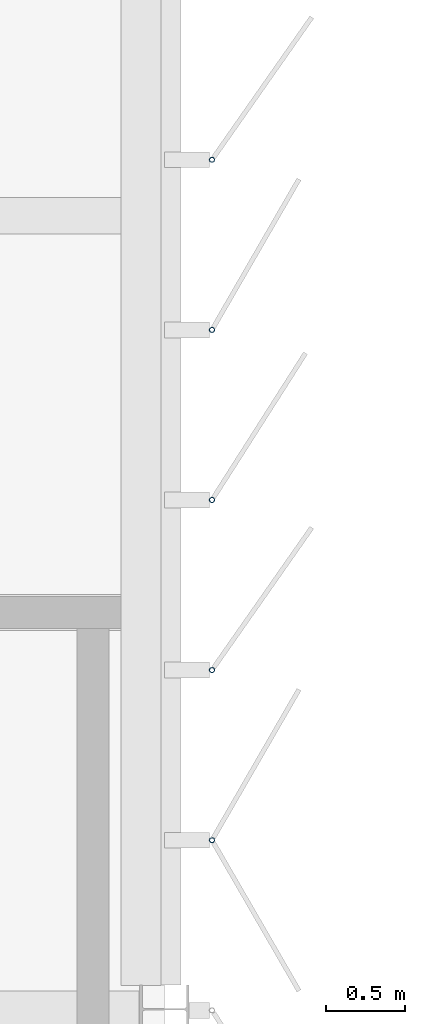
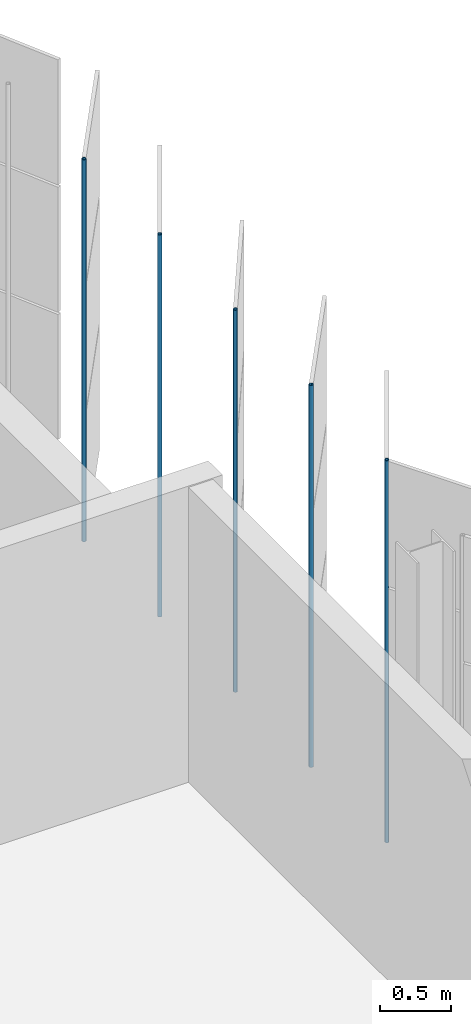
# One storey, part 113 of 214: 5 discrete accessories.
"""IFC4 building model written with IfcOpenShell, lengths in metres."""

from ifc_helpers import new_model, si_unit, direction, frame, origin, origin_2d, place, context, subcontext, project, spatial, hollow_circle, extrude, material, material_profile, profile_set, type_object, element, save


model = new_model("IFC4")

# Units and contexts
model_context = context("Model", 3, precision=1e-05, world=origin(), true_north=direction((0.0, 1.0)))
body_context = subcontext(model_context, "Body", "Model", "MODEL_VIEW")
ifc_project = project(units=[si_unit("LENGTHUNIT", "METRE"), si_unit("AREAUNIT", "SQUARE_METRE"), si_unit("VOLUMEUNIT", "CUBIC_METRE"), si_unit("PLANEANGLEUNIT", "RADIAN"), si_unit("MASSUNIT", "GRAM", prefix="KILO")], contexts=[model_context])

# Site, building, storey
site_placement = place(None, origin())
site = spatial("IfcSite", under=ifc_project, at=site_placement, CompositionType="ELEMENT")
building_placement = place(site_placement, origin())
building = spatial("IfcBuilding", under=site, at=building_placement, Name="Parallax Yard Mobility Hub", CompositionType="ELEMENT")
storey_placement = place(building_placement, frame((0.0, 0.0, 3.300048828125)))
storey = spatial("IfcBuildingStorey", under=building, at=storey_placement, Name="L01", CompositionType="ELEMENT", Elevation=3.300048828125)

# Discrete accessories
ifc_material = material(Name="Steel ASTM A500 Gr C, hot-dip galvanised", Category="steel")
ifc_material_profile = material_profile(ifc_material, hollow_circle(Radius=0.016845703125, WallThickness=0.003173828125, at=origin_2d()), Name="CHS 33.7x3.2")
ifc_profile_set = profile_set([ifc_material_profile], Name="Steel ASTM A500 Gr C, hot-dip galvanised")
discrete_accessory_type = type_object("IfcDiscreteAccessoryType", Name="Hinge post CHS 33.7x3.2", PredefinedType="BRACKET", material=ifc_profile_set)
for number, where, z_axis, x_axis, name in (
    (1, (225.300048828125, 61.065673828125, 0.0), (0.0, 0.0, 1.0), (1.0, 0.0, 0.0), "Hinge post bay 37.2 level L01"),
    (2, (225.300048828125, 62.137451171875, 0.0), (0.0, 0.0, 1.0), (1.0, 0.0, 0.0), "Hinge post bay 37.3 level L01"),
    (3, (225.300048828125, 63.209228515625, 0.0), (0.0, 0.0, 1.0), (1.0, 0.0, 0.0), "Hinge post bay 37.4 level L01"),
    (4, (225.300048828125, 64.281005859375, 0.0), (0.0, 0.0, 1.0), (1.0, 0.0, 0.0), "Hinge post bay 37.5 level L01"),
    (5, (225.300048828125, 65.3525390625, 0.0), (0.0, 0.0, 1.0), (1.0, 0.0, 0.0), "Hinge post bay 37.6 level L01"),
):
    element("IfcDiscreteAccessory", number, at=place(storey_placement, frame(where, z_axis=z_axis, x_axis=x_axis)), inside=storey, type_object=discrete_accessory_type, Name=name, PredefinedType="BRACKET", context=body_context, shape_type="SweptSolid", body=[
        extrude(hollow_circle(Radius=0.016845703125, WallThickness=0.003173828125, at=origin_2d()), origin(), (0.0, 0.0, 1.0), 3.300048828125),
    ])

save(model, "model.ifc")
